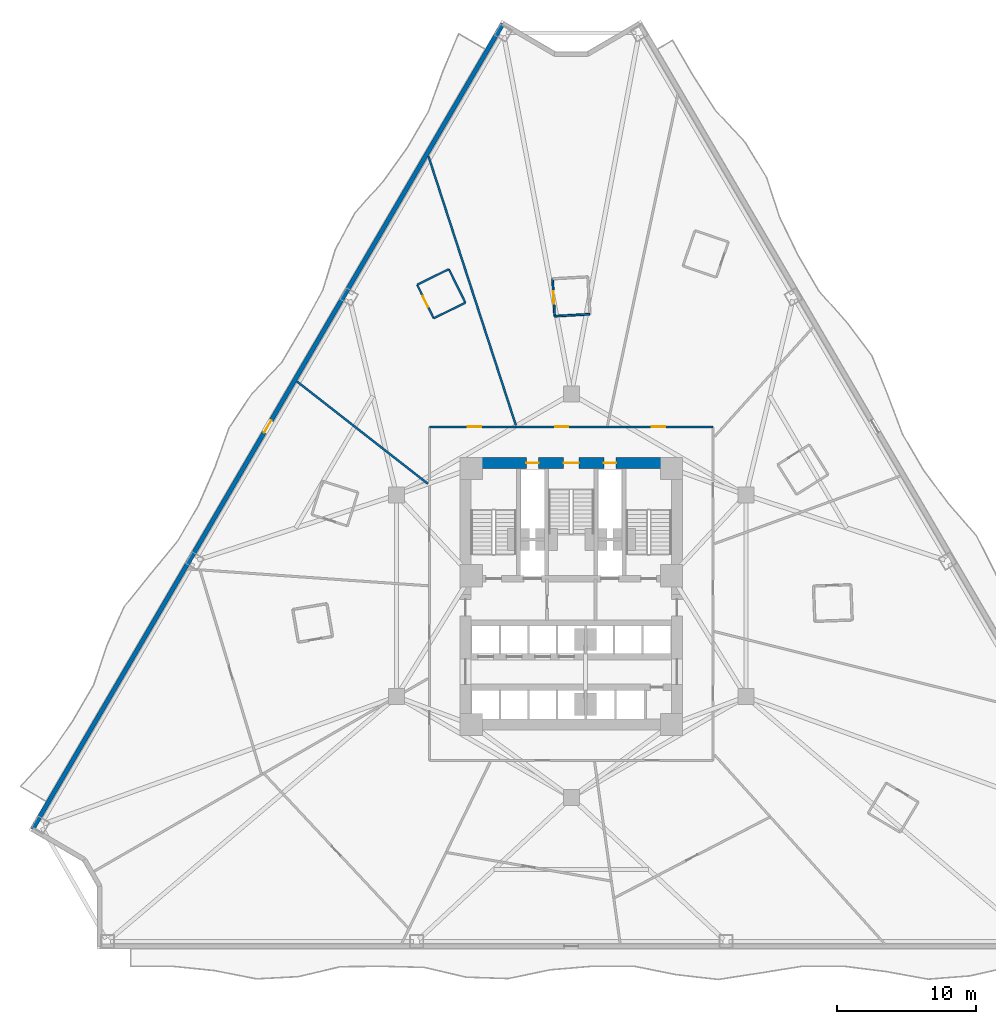
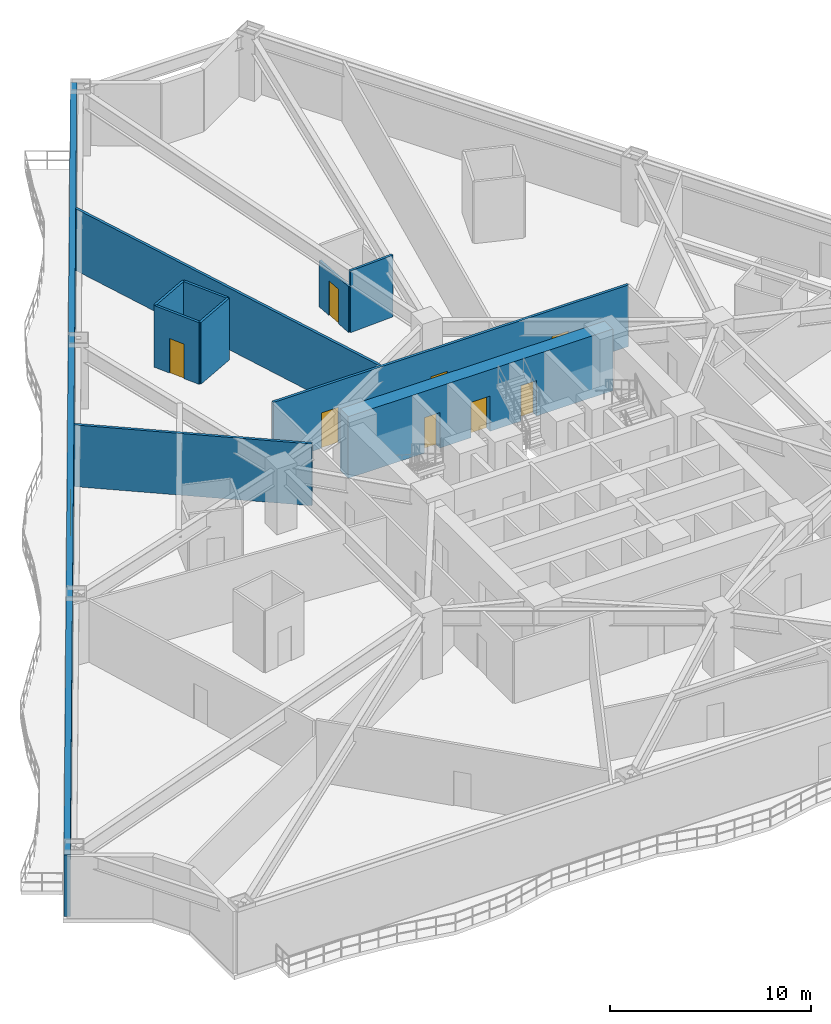
# One storey, part 6 of 12: 11 walls, 9 doors, 9 openings.
"""IFC4 building model written with IfcOpenShell, lengths in metres."""

from ifc_helpers import new_model, si_unit, direction, frame, frame_2d, origin, place, context, subcontext, project, spatial, rectangle, extrude, material, layer, layer_set, type_object, element, fill, save


model = new_model("IFC4")

# Units and contexts
model_context = context("Model", 3, precision=1e-05, world=origin(), true_north=direction((0.0, 1.0)))
body_context = subcontext(model_context, "Body", "Model", "MODEL_VIEW")
ifc_project = project(units=[si_unit("LENGTHUNIT", "METRE"), si_unit("AREAUNIT", "SQUARE_METRE"), si_unit("VOLUMEUNIT", "CUBIC_METRE"), si_unit("PLANEANGLEUNIT", "RADIAN"), si_unit("MASSUNIT", "GRAM", prefix="KILO")], contexts=[model_context])

# Site, building, storey
site_placement = place(None, origin())
site = spatial("IfcSite", under=ifc_project, at=site_placement, CompositionType="ELEMENT")
building_placement = place(site_placement, origin())
building = spatial("IfcBuilding", under=site, at=building_placement, Name="Apsidion Concourse Tower", CompositionType="ELEMENT")
storey_placement = place(building_placement, frame((0.0, 0.0, 50.39990234375)))
storey = spatial("IfcBuildingStorey", under=building, at=storey_placement, Name="L10", CompositionType="ELEMENT", Elevation=50.39990234375)

# Wall, opening, door
ifc_material_1 = material(Name="Precast concrete C40/50", Category="concrete")
ifc_layer_1 = layer(ifc_material_1, 0.320068359375)
ifc_layer_set_1 = layer_set([ifc_layer_1], Name="Precast concrete C40/50")
wall_type_1 = type_object("IfcWallType", Name="WL-EXT-320", PredefinedType="STANDARD", material=ifc_layer_set_1)
wall_1_placement = place(storey_placement, frame((-38.725830078125, -16.7734375, 0.0), z_axis=(0.0, 0.0, 1.0), x_axis=(0.504213113214, 0.863579258935, 0.0)))
wall_1 = element("IfcWall", 1, at=wall_1_placement, inside=storey, type_object=wall_type_1, Name="L10 Precast Stone Facade Wall 09", PredefinedType="STANDARD", context=body_context, shape_type="SweptSolid", body=[
    extrude(rectangle(XDim=67.041015625, YDim=0.320068359375, at=frame_2d((33.5205078125, 0.0))), origin(), (0.0, 0.0, 1.0), 3.75),
])
opening_1_placement = place(wall_1_placement, frame((33.0205078125, 0.0, 0.0)))
opening_1 = element("IfcOpeningElement", 2, at=opening_1_placement, cuts=wall_1, Name="Opening D-T1L", PredefinedType="OPENING", context=body_context, shape_type="SweptSolid", body=[
    extrude(rectangle(XDim=1.0, YDim=2.14990234375, at=frame_2d((0.5, 1.074951171875))), frame((0.0, 0.169921875, 0.0), z_axis=(0.0, -1.0, 0.0), x_axis=(1.0, 0.0, 0.0)), (0.0, 0.0, 1.0), 0.340087890625),
])
ifc_material_2 = material(Name="Anodised aluminium EN AW-6063 T6", Category="aluminium")
door_type_1 = type_object("IfcDoorType", Name="DR-TER-1022L", OperationType="SINGLE_SWING_LEFT", PredefinedType="DOOR", material=ifc_material_2)
door_1_placement = place(opening_1_placement, origin())
door_1 = element("IfcDoor", 3, at=door_1_placement, inside=storey, type_object=door_type_1, Name="L10 Balcony Access Door 1", OperationType="SINGLE_SWING_LEFT", OverallHeight=2.14990234375, OverallWidth=1.0, PredefinedType="DOOR", context=body_context, shape_type="SweptSolid", body=[
    extrude(rectangle(XDim=1.0, YDim=2.14990234375, at=frame_2d((0.5, 1.074951171875))), frame((0.0, 0.02490234375, 0.0), z_axis=(0.0, -1.0, 0.0), x_axis=(1.0, 0.0, 0.0)), (0.0, 0.0, 1.0), 0.050048828125),
])
fill(opening_1, door_1)

ifc_material_3 = material(Name="Gypsum plasterboard partition")
ifc_layer_2 = layer(ifc_material_3, 0.139892578125)
ifc_layer_set_2 = layer_set([ifc_layer_2], Name="Gypsum plasterboard partition")
wall_type_2 = type_object("IfcWallType", Name="WL-INT-PAR-140", PredefinedType="PARTITIONING", material=ifc_layer_set_2)
wall_2_placement = place(storey_placement, frame((-1.3447265625, 22.787841796875, 0.0), z_axis=(0.0, 0.0, 1.0), x_axis=(0.055816855724, -0.998441024106, 0.0)))
wall_2 = element("IfcWall", 4, at=wall_2_placement, inside=storey, type_object=wall_type_2, Name="L10 Interior Partition WL-L10-POD-ENS08-S3", PredefinedType="PARTITIONING", context=body_context, shape_type="SweptSolid", body=[
    extrude(rectangle(XDim=2.68994140625, YDim=0.139892578125, at=frame_2d((1.344970703125, 0.0))), origin(), (0.0, 0.0, 1.0), 2.798095703125),
])
opening_2_placement = place(wall_2_placement, frame((0.905029296875, 0.0, 0.0)))
opening_2 = element("IfcOpeningElement", 5, at=opening_2_placement, cuts=wall_2, Name="Opening D-03L", PredefinedType="OPENING", context=body_context, shape_type="SweptSolid", body=[
    extrude(rectangle(XDim=0.8798828125, YDim=2.10009765625, at=frame_2d((0.43994140625, 1.050048828125))), frame((0.0, 0.080078125, 0.0), z_axis=(0.0, -1.0, 0.0), x_axis=(1.0, 0.0, 0.0)), (0.0, 0.0, 1.0), 0.159912109375),
])
door_type_2 = type_object("IfcDoorType", Name="DR-INT-D03L", OperationType="SINGLE_SWING_LEFT", PredefinedType="DOOR", material=ifc_material_2)
door_2_placement = place(opening_2_placement, origin())
door_2 = element("IfcDoor", 6, at=door_2_placement, inside=storey, type_object=door_type_2, Name="L10 Guest En-Suite Bathroom Door ENS08", OperationType="SINGLE_SWING_LEFT", OverallHeight=2.10009765625, OverallWidth=0.8798828125, PredefinedType="DOOR", context=body_context, shape_type="SweptSolid", body=[
    extrude(rectangle(XDim=0.8798828125, YDim=2.10009765625, at=frame_2d((0.43994140625, 1.050048828125))), frame((0.0, 0.02490234375, 0.0), z_axis=(0.0, -1.0, 0.0), x_axis=(1.0, 0.0, 0.0)), (0.0, 0.0, 1.0), 0.050048828125),
])
fill(opening_2, door_2)

# Walls
wall_3_placement = place(storey_placement, frame((-1.194580078125, 20.10205078125, 0.0), z_axis=(0.0, 0.0, 1.0), x_axis=(0.998439582043, 0.055842645087, 0.0)))
element("IfcWall", 7, at=wall_3_placement, inside=storey, type_object=wall_type_2, Name="L10 Interior Partition WL-L10-POD-ENS08-S4", PredefinedType="PARTITIONING", context=body_context, shape_type="SweptSolid", body=[
    extrude(rectangle(XDim=2.5400390625, YDim=0.139892578125, at=frame_2d((1.27001953125, 0.0))), origin(), (0.0, 0.0, 1.0), 3.75),
])
wall_4_placement = place(storey_placement, frame((-7.614013671875, 21.071044921875, 0.0), z_axis=(0.0, 0.0, 1.0), x_axis=(-0.441468216104, 0.89727688824, 0.0)))
element("IfcWall", 8, at=wall_4_placement, inside=storey, type_object=wall_type_2, Name="L10 Interior Partition WL-L10-POD-ENS09-S1", PredefinedType="PARTITIONING", context=body_context, shape_type="SweptSolid", body=[
    extrude(rectangle(XDim=2.68994140625, YDim=0.139892578125, at=frame_2d((1.344970703125, 0.0))), origin(), (0.0, 0.0, 1.0), 3.75),
])
wall_5_placement = place(storey_placement, frame((-8.801513671875, 23.484619140625, 0.0), z_axis=(0.0, 0.0, 1.0), x_axis=(-0.897291929889, -0.441437642886, 0.0)))
element("IfcWall", 9, at=wall_5_placement, inside=storey, type_object=wall_type_2, Name="L10 Interior Partition WL-L10-POD-ENS09-S2", PredefinedType="PARTITIONING", context=body_context, shape_type="SweptSolid", body=[
    extrude(rectangle(XDim=2.540283203125, YDim=0.139892578125, at=frame_2d((1.27001953125, 0.0))), origin(), (0.0, 0.0, 1.0), 3.75),
])

# Wall, opening, door
wall_6_placement = place(storey_placement, frame((-11.080810546875, 22.36328125, 0.0), z_axis=(0.0, 0.0, 1.0), x_axis=(0.441541285032, -0.897240933982, 0.0)))
wall_6 = element("IfcWall", 10, at=wall_6_placement, inside=storey, type_object=wall_type_2, Name="L10 Interior Partition WL-L10-POD-ENS09-S3", PredefinedType="PARTITIONING", context=body_context, shape_type="SweptSolid", body=[
    extrude(rectangle(XDim=2.68994140625, YDim=0.139892578125, at=frame_2d((1.344970703125, 0.0))), origin(), (0.0, 0.0, 1.0), 3.75),
])
opening_3_placement = place(wall_6_placement, frame((0.905029296875, 0.0, 0.0)))
opening_3 = element("IfcOpeningElement", 11, at=opening_3_placement, cuts=wall_6, Name="Opening D-03R", PredefinedType="OPENING", context=body_context, shape_type="SweptSolid", body=[
    extrude(rectangle(XDim=0.8798828125, YDim=2.10009765625, at=frame_2d((0.43994140625, 1.050048828125))), frame((0.0, 0.080078125, 0.0), z_axis=(0.0, -1.0, 0.0), x_axis=(1.0, 0.0, 0.0)), (0.0, 0.0, 1.0), 0.159912109375),
])
door_type_3 = type_object("IfcDoorType", Name="DR-INT-D03R", OperationType="SINGLE_SWING_RIGHT", PredefinedType="DOOR", material=ifc_material_2)
door_3_placement = place(opening_3_placement, origin())
door_3 = element("IfcDoor", 12, at=door_3_placement, inside=storey, type_object=door_type_3, Name="L10 Guest En-Suite Bathroom Door ENS09", OperationType="SINGLE_SWING_RIGHT", OverallHeight=2.10009765625, OverallWidth=0.8798828125, PredefinedType="DOOR", context=body_context, shape_type="SweptSolid", body=[
    extrude(rectangle(XDim=0.8798828125, YDim=2.10009765625, at=frame_2d((0.43994140625, 1.050048828125))), frame((0.0, 0.02490234375, 0.0), z_axis=(0.0, -1.0, 0.0), x_axis=(1.0, 0.0, 0.0)), (0.0, 0.0, 1.0), 0.050048828125),
])
fill(opening_3, door_3)

# Wall
wall_7_placement = place(storey_placement, frame((-9.89306640625, 19.94970703125, 0.0), z_axis=(0.0, 0.0, 1.0), x_axis=(0.897273198593, 0.441475715173, 0.0)))
element("IfcWall", 13, at=wall_7_placement, inside=storey, type_object=wall_type_2, Name="L10 Interior Partition WL-L10-POD-ENS09-S4", PredefinedType="PARTITIONING", context=body_context, shape_type="SweptSolid", body=[
    extrude(rectangle(XDim=2.5400390625, YDim=0.139892578125, at=frame_2d((1.27001953125, 0.0))), origin(), (0.0, 0.0, 1.0), 3.75),
])

# Wall, openings, doors
ifc_layer_3 = layer(ifc_material_3, 0.14990234375)
ifc_layer_set_3 = layer_set([ifc_layer_3], Name="Gypsum plasterboard partition")
wall_type_3 = type_object("IfcWallType", Name="WL-INT-PAR-150", PredefinedType="PARTITIONING", material=ifc_layer_set_3)
wall_8_placement = place(storey_placement, frame((-10.199951171875, 12.14990234375, 0.0), z_axis=(0.0, 0.0, 1.0), x_axis=(1.0, 0.0, 0.0)))
wall_8 = element("IfcWall", 14, at=wall_8_placement, inside=storey, type_object=wall_type_3, Name="L10 Interior Partition WL-L10-CORR-01", PredefinedType="PARTITIONING", context=body_context, shape_type="SweptSolid", body=[
    extrude(rectangle(XDim=20.39990234375, YDim=0.14990234375, at=frame_2d((10.199951171875, 0.0))), origin(), (0.0, 0.0, 1.0), 3.75),
])
opening_4_placement = place(wall_8_placement, frame((15.998046875, 0.0, 0.0)))
opening_4 = element("IfcOpeningElement", 15, at=opening_4_placement, cuts=wall_8, Name="Opening D-01R", PredefinedType="OPENING", context=body_context, shape_type="SweptSolid", body=[
    extrude(rectangle(XDim=0.949951171875, YDim=2.14990234375, at=frame_2d((0.47509765625, 1.074951171875))), frame((0.0, 0.0849609375, 0.0), z_axis=(0.0, -1.0, 0.0), x_axis=(1.0, 0.0, 0.0)), (0.0, 0.0, 1.0), 0.169921875),
])
opening_5_placement = place(wall_8_placement, frame((9.03759765625, 0.0, 0.0)))
opening_5 = element("IfcOpeningElement", 16, at=opening_5_placement, cuts=wall_8, Name="Opening D-01L", PredefinedType="OPENING", context=body_context, shape_type="SweptSolid", body=[
    extrude(rectangle(XDim=0.949951171875, YDim=2.14990234375, at=frame_2d((0.47509765625, 1.074951171875))), frame((0.0, 0.0849609375, 0.0), z_axis=(0.0, -1.0, 0.0), x_axis=(1.0, 0.0, 0.0)), (0.0, 0.0, 1.0), 0.169921875),
])
opening_6_placement = place(wall_8_placement, frame((2.764404296875, 0.0, 0.0)))
opening_6 = element("IfcOpeningElement", 17, at=opening_6_placement, cuts=wall_8, Name="Opening D-01R", PredefinedType="OPENING", context=body_context, shape_type="SweptSolid", body=[
    extrude(rectangle(XDim=0.949951171875, YDim=2.14990234375, at=frame_2d((0.47509765625, 1.074951171875))), frame((0.0, 0.0849609375, 0.0), z_axis=(0.0, -1.0, 0.0), x_axis=(1.0, 0.0, 0.0)), (0.0, 0.0, 1.0), 0.169921875),
])
ifc_material_4 = material(Name="Brushed stainless steel 316", Category="steel")
door_type_4 = type_object("IfcDoorType", Name="DR-INT-D01L", OperationType="SINGLE_SWING_LEFT", PredefinedType="DOOR", material=ifc_material_4)
door_4_placement = place(opening_5_placement, origin())
door_4 = element("IfcDoor", 18, at=door_4_placement, inside=storey, type_object=door_type_4, Name="L10 Corridor Entry Door 09", OperationType="SINGLE_SWING_LEFT", OverallHeight=2.14990234375, OverallWidth=0.949951171875, PredefinedType="DOOR", context=body_context, shape_type="SweptSolid", body=[
    extrude(rectangle(XDim=0.949951171875, YDim=2.14990234375, at=frame_2d((0.47509765625, 1.074951171875))), frame((0.0, 0.02490234375, 0.0), z_axis=(0.0, -1.0, 0.0), x_axis=(1.0, 0.0, 0.0)), (0.0, 0.0, 1.0), 0.050048828125),
])
fill(opening_5, door_4)
door_type_5 = type_object("IfcDoorType", Name="DR-INT-D01R", OperationType="SINGLE_SWING_RIGHT", PredefinedType="DOOR", material=ifc_material_4)
door_5_placement = place(opening_4_placement, origin())
door_5 = element("IfcDoor", 19, at=door_5_placement, inside=storey, type_object=door_type_5, Name="L10 Corridor Entry Door 08", OperationType="SINGLE_SWING_RIGHT", OverallHeight=2.14990234375, OverallWidth=0.949951171875, PredefinedType="DOOR", context=body_context, shape_type="SweptSolid", body=[
    extrude(rectangle(XDim=0.949951171875, YDim=2.14990234375, at=frame_2d((0.47509765625, 1.074951171875))), frame((0.0, 0.02490234375, 0.0), z_axis=(0.0, -1.0, 0.0), x_axis=(1.0, 0.0, 0.0)), (0.0, 0.0, 1.0), 0.050048828125),
])
fill(opening_4, door_5)
door_6_placement = place(opening_6_placement, origin())
door_6 = element("IfcDoor", 20, at=door_6_placement, inside=storey, type_object=door_type_5, Name="L10 Corridor Entry Door 10", OperationType="SINGLE_SWING_RIGHT", OverallHeight=2.14990234375, OverallWidth=0.949951171875, PredefinedType="DOOR", context=body_context, shape_type="SweptSolid", body=[
    extrude(rectangle(XDim=0.949951171875, YDim=2.14990234375, at=frame_2d((0.47509765625, 1.074951171875))), frame((0.0, 0.02490234375, 0.0), z_axis=(0.0, -1.0, 0.0), x_axis=(1.0, 0.0, 0.0)), (0.0, 0.0, 1.0), 0.050048828125),
])
fill(opening_6, door_6)

# Walls
wall_9_placement = place(storey_placement, frame((-3.98193359375, 12.2548828125, 0.0), z_axis=(0.0, 0.0, 1.0), x_axis=(-0.309011216684, 0.951058393561, 0.0)))
element("IfcWall", 21, at=wall_9_placement, inside=storey, type_object=wall_type_3, Name="L10 Interior Partition WL-L10-RAD-04-1", PredefinedType="PARTITIONING", context=body_context, shape_type="SweptSolid", body=[
    extrude(rectangle(XDim=20.3544921875, YDim=0.14990234375, at=frame_2d((10.17724609375, 0.0))), origin(), (0.0, 0.0, 1.0), 3.75),
])
wall_10_placement = place(storey_placement, frame((-10.304931640625, 8.051025390625, 0.0), z_axis=(0.0, 0.0, 1.0), x_axis=(-0.788008281042, 0.615664640051, 0.0)))
element("IfcWall", 22, at=wall_10_placement, inside=storey, type_object=wall_type_3, Name="L10 Interior Partition WL-L10-RAD-05-1", PredefinedType="PARTITIONING", context=body_context, shape_type="SweptSolid", body=[
    extrude(rectangle(XDim=11.960205078125, YDim=0.14990234375, at=frame_2d((5.97998046875, 0.0))), origin(), (0.0, 0.0, 1.0), 3.75),
])

# Wall, openings, doors
ifc_material_5 = material(Name="Concrete C60/75", Category="concrete")
ifc_layer_4 = layer(ifc_material_5, 0.800048828125)
ifc_layer_set_4 = layer_set([ifc_layer_4], Name="Concrete C60/75")
wall_type_4 = type_object("IfcWallType", Name="WL-SH-800", PredefinedType="SHEAR", material=ifc_layer_set_4)
wall_11_placement = place(storey_placement, frame((-7.60009765625, 9.550048828125, 0.0), z_axis=(0.0, 0.0, 1.0), x_axis=(1.0, 0.0, 0.0)))
wall_11 = element("IfcWall", 23, at=wall_11_placement, inside=storey, type_object=wall_type_4, Name="L10 Central Core Shear Wall N", PredefinedType="SHEAR", context=body_context, shape_type="SweptSolid", body=[
    extrude(rectangle(XDim=15.2001953125, YDim=0.800048828125, at=frame_2d((7.60009765625, 0.0))), origin(), (0.0, 0.0, 1.0), 3.75),
])
opening_7_placement = place(wall_11_placement, frame((7.050048828125, 0.0, 0.0)))
opening_7 = element("IfcOpeningElement", 24, at=opening_7_placement, cuts=wall_11, Name="Opening D-STL", PredefinedType="OPENING", context=body_context, shape_type="SweptSolid", body=[
    extrude(rectangle(XDim=1.10009765625, YDim=2.14990234375, at=frame_2d((0.550048828125, 1.074951171875))), frame((0.0, 0.41015625, 0.0), z_axis=(0.0, -1.0, 0.0), x_axis=(1.0, 0.0, 0.0)), (0.0, 0.0, 1.0), 0.820068359375),
])
opening_8_placement = place(wall_11_placement, frame((4.3798828125, 0.0, 0.0)))
opening_8 = element("IfcOpeningElement", 25, at=opening_8_placement, cuts=wall_11, Name="Opening D-05L", PredefinedType="OPENING", context=body_context, shape_type="SweptSolid", body=[
    extrude(rectangle(XDim=0.8798828125, YDim=2.14990234375, at=frame_2d((0.43994140625, 1.074951171875))), frame((0.0, 0.41015625, 0.0), z_axis=(0.0, -1.0, 0.0), x_axis=(1.0, 0.0, 0.0)), (0.0, 0.0, 1.0), 0.820068359375),
])
opening_9_placement = place(wall_11_placement, frame((9.93994140625, 0.0, 0.0)))
opening_9 = element("IfcOpeningElement", 26, at=opening_9_placement, cuts=wall_11, Name="Opening D-05R", PredefinedType="OPENING", context=body_context, shape_type="SweptSolid", body=[
    extrude(rectangle(XDim=0.8798828125, YDim=2.14990234375, at=frame_2d((0.43994140625, 1.074951171875))), frame((0.0, 0.41015625, 0.0), z_axis=(0.0, -1.0, 0.0), x_axis=(1.0, 0.0, 0.0)), (0.0, 0.0, 1.0), 0.820068359375),
])
door_type_6 = type_object("IfcDoorType", Name="DR-INT-D05L", OperationType="SINGLE_SWING_LEFT", PredefinedType="DOOR", material=ifc_material_4)
door_7_placement = place(opening_8_placement, origin())
door_7 = element("IfcDoor", 27, at=door_7_placement, inside=storey, type_object=door_type_6, Name="L10 Electrical Riser Shaft Access Door", OperationType="SINGLE_SWING_LEFT", OverallHeight=2.14990234375, OverallWidth=0.8798828125, PredefinedType="DOOR", context=body_context, shape_type="SweptSolid", body=[
    extrude(rectangle(XDim=0.8798828125, YDim=2.14990234375, at=frame_2d((0.43994140625, 1.074951171875))), frame((0.0, 0.02490234375, 0.0), z_axis=(0.0, -1.0, 0.0), x_axis=(1.0, 0.0, 0.0)), (0.0, 0.0, 1.0), 0.050048828125),
])
fill(opening_8, door_7)
door_type_7 = type_object("IfcDoorType", Name="DR-INT-D05R", OperationType="SINGLE_SWING_RIGHT", PredefinedType="DOOR", material=ifc_material_4)
door_8_placement = place(opening_9_placement, origin())
door_8 = element("IfcDoor", 28, at=door_8_placement, inside=storey, type_object=door_type_7, Name="L10 Mechanical Riser Shaft Access Door", OperationType="SINGLE_SWING_RIGHT", OverallHeight=2.14990234375, OverallWidth=0.8798828125, PredefinedType="DOOR", context=body_context, shape_type="SweptSolid", body=[
    extrude(rectangle(XDim=0.8798828125, YDim=2.14990234375, at=frame_2d((0.43994140625, 1.074951171875))), frame((0.0, 0.02490234375, 0.0), z_axis=(0.0, -1.0, 0.0), x_axis=(1.0, 0.0, 0.0)), (0.0, 0.0, 1.0), 0.050048828125),
])
fill(opening_9, door_8)
door_type_8 = type_object("IfcDoorType", Name="DR-INT-ST1L", OperationType="SINGLE_SWING_LEFT", PredefinedType="DOOR", material=ifc_material_4)
door_9_placement = place(opening_7_placement, origin())
door_9 = element("IfcDoor", 29, at=door_9_placement, inside=storey, type_object=door_type_8, Name="L10 Core Exit Stair ST3 Door", OperationType="SINGLE_SWING_LEFT", OverallHeight=2.14990234375, OverallWidth=1.10009765625, PredefinedType="DOOR", context=body_context, shape_type="SweptSolid", body=[
    extrude(rectangle(XDim=1.10009765625, YDim=2.14990234375, at=frame_2d((0.550048828125, 1.074951171875))), frame((0.0, 0.02490234375, 0.0), z_axis=(0.0, -1.0, 0.0), x_axis=(1.0, 0.0, 0.0)), (0.0, 0.0, 1.0), 0.050048828125),
])
fill(opening_7, door_9)

save(model, "model.ifc")
